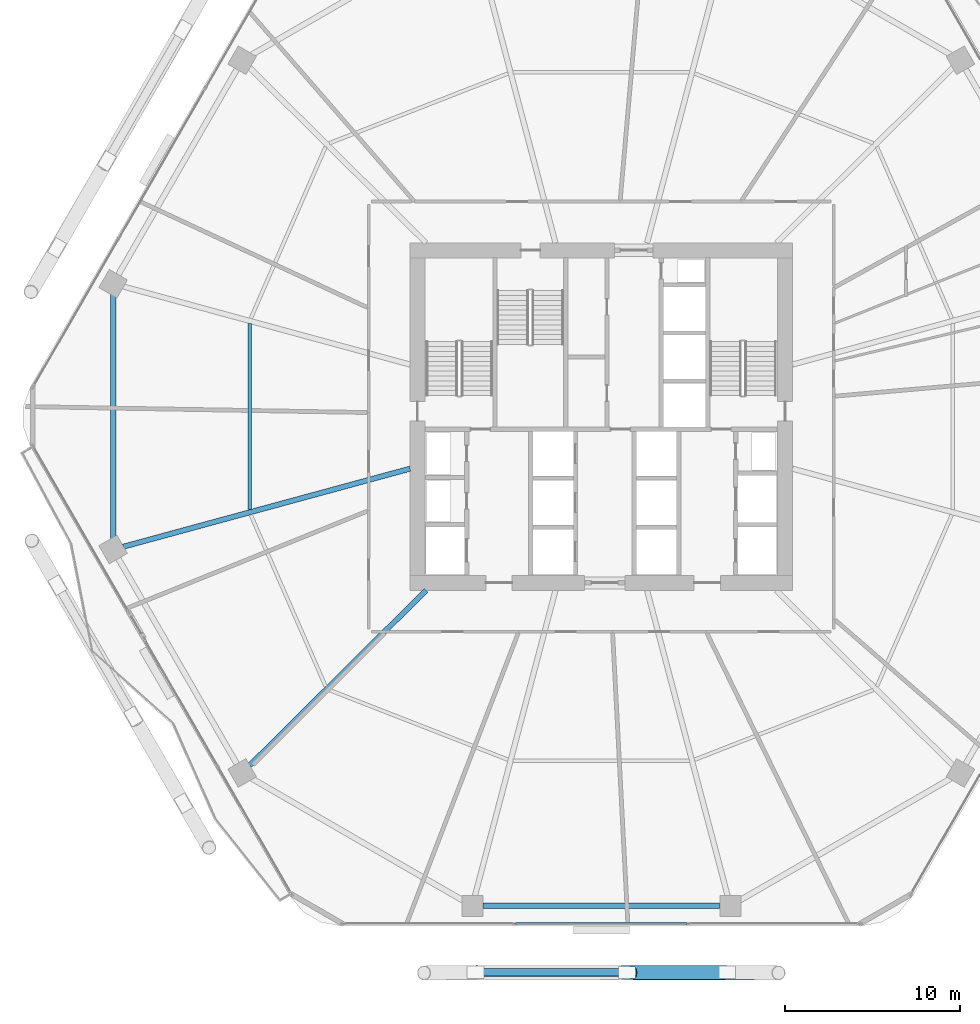
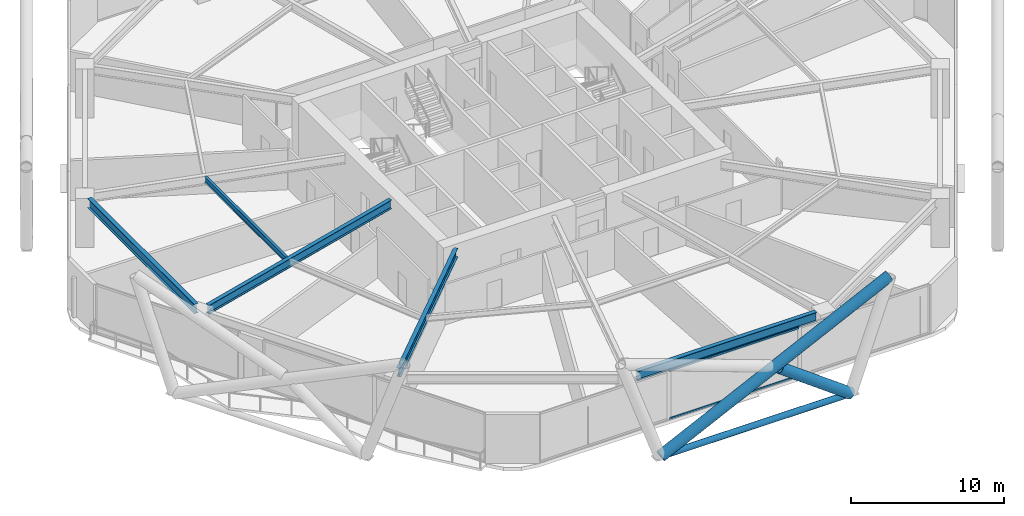
# One storey, part 6 of 30: 5 beams, 5 members, 1 element without a shape of its own.
"""IFC4 building model written with IfcOpenShell, lengths in metres."""

from ifc_helpers import new_model, si_unit, direction, frame, origin, origin_2d, place, context, subcontext, project, spatial, hollow_rectangle, hollow_circle, i_section, extrude, material, material_profile, profile_set, type_object, element, aggregate, save


model = new_model("IFC4")

# Units and contexts
model_context = context("Model", 3, precision=1e-05, world=origin(), true_north=direction((0.0, 1.0)))
body_context = subcontext(model_context, "Body", "Model", "MODEL_VIEW")
ifc_project = project(units=[si_unit("LENGTHUNIT", "METRE"), si_unit("AREAUNIT", "SQUARE_METRE"), si_unit("VOLUMEUNIT", "CUBIC_METRE"), si_unit("PLANEANGLEUNIT", "RADIAN"), si_unit("MASSUNIT", "GRAM", prefix="KILO")], contexts=[model_context])

# Site, building, storey
site_placement = place(None, origin())
site = spatial("IfcSite", under=ifc_project, at=site_placement, CompositionType="ELEMENT")
building_placement = place(site_placement, origin())
building = spatial("IfcBuilding", under=site, at=building_placement, Name="Zuhravey Tower", CompositionType="ELEMENT")
storey_placement = place(building_placement, frame((0.0, 0.0, 16.199951171875)))
storey = spatial("IfcBuildingStorey", under=building, at=storey_placement, Name="L04", CompositionType="ELEMENT", Elevation=16.199951171875)

# Curtain wall, members
ifc_material_1 = material(Name="Thermally broken anodised aluminium", Category="aluminium")
curtain_wall_type = type_object("IfcCurtainWallType", Name="School Low-E Unitised Curtain Wall CW1", PredefinedType="NOTDEFINED", material=ifc_material_1)
curtain_wall_placement = place(storey_placement, origin())
curtain_wall = element("IfcCurtainWall", 1, at=curtain_wall_placement, inside=storey, type_object=curtain_wall_type, Name="L04 CW1 CW-L04-F5-1", PredefinedType="NOTDEFINED")
ifc_material_2 = material(Name="Anodised aluminium", Category="aluminium")
ifc_material_profile_1 = material_profile(ifc_material_2, hollow_rectangle(XDim=0.090087890625, YDim=0.14990234375, WallThickness=0.0048828125, at=origin_2d()), Name="ALU-RHS-90x150x5")
ifc_profile_set_1 = profile_set([ifc_material_profile_1], Name="Anodised aluminium")
member_type_1 = type_object("IfcMemberType", Name="Curtain-Wall Transom 90x150", PredefinedType="USERDEFINED", material=ifc_profile_set_1)
member_1_placement = place(storey_placement, frame((40.88818359375, 3.04150390625, 0.045166015625), z_axis=(-1.0, 0.0, 0.0), x_axis=(0.0, -1.0, 0.0)))
member_1 = element("IfcMember", 2, at=member_1_placement, type_object=member_type_1, Name="CW1 transom 2.1", ObjectType="TRANSOM", PredefinedType="USERDEFINED", context=body_context, shape_type="SweptSolid", body=[
    extrude(hollow_rectangle(XDim=0.090087890625, YDim=0.14990234375, WallThickness=0.0048828125, at=origin_2d()), origin(), (0.0, 0.0, 1.0), 9.7763671875),
])
member_2_placement = place(storey_placement, frame((40.88818359375, 3.04150390625, 3.875), z_axis=(-1.0, 0.0, 0.0), x_axis=(0.0, -1.0, 0.0)))
member_2 = element("IfcMember", 3, at=member_2_placement, type_object=member_type_1, Name="CW1 transom 2.2", ObjectType="TRANSOM", PredefinedType="USERDEFINED", context=body_context, shape_type="SweptSolid", body=[
    extrude(hollow_rectangle(XDim=0.090087890625, YDim=0.14990234375, WallThickness=0.0048828125, at=origin_2d()), origin(), (0.0, 0.0, 1.0), 9.7763671875),
])
aggregate(curtain_wall, [member_1, member_2])

# Members
ifc_material_3 = material(Name="Steel SM355", Category="steel")
ifc_material_profile_2 = material_profile(ifc_material_3, hollow_circle(Radius=0.228515625, WallThickness=0.02197265625, at=origin_2d()), Name="CHS-457.2x22")
ifc_profile_set_2 = profile_set([ifc_material_profile_2], Name="Steel SM355")
member_type_2 = type_object("IfcMemberType", Name="Exoskeleton Ring Tie CHS457x22", PredefinedType="CHORD", material=ifc_profile_set_2)
member_3_placement = place(storey_placement, frame((28.946044921875, 0.25146484375, -0.493896484375), z_axis=(1.0, 0.0, 0.0), x_axis=(0.0, 1.0, 0.0)))
element("IfcMember", 4, at=member_3_placement, inside=storey, type_object=member_type_2, Name="L04 Exoskeleton Face 5 Tie EXR1", PredefinedType="CHORD", context=body_context, shape_type="SweptSolid", body=[
    extrude(hollow_circle(Radius=0.228515625, WallThickness=0.02197265625, at=origin_2d()), origin(), (0.0, 0.0, 1.0), 14.10791015625),
])
ifc_material_4 = material(Name="Steel SM460", Category="steel")
ifc_material_profile_3 = material_profile(ifc_material_4, hollow_circle(Radius=0.406494140625, WallThickness=0.035888671875, at=origin_2d()), Name="CHS-812.8x36")
ifc_profile_set_3 = profile_set([ifc_material_profile_3], Name="Steel SM460")
member_type_3 = type_object("IfcMemberType", Name="Exoskeleton Zone 1 Diagrid CHS813x36", PredefinedType="BRACE", material=ifc_profile_set_3)
member_4_placement = place(storey_placement, frame((28.8515625, 0.25146484375, -0.471923828125), z_axis=(0.899868496349, -0.00155470525, 0.436158540177), x_axis=(0.001727700143, 0.999998507525, 0.0)))
element("IfcMember", 5, at=member_4_placement, inside=storey, type_object=member_type_3, Name="L04 Face 5 Diagrid Brace 2", PredefinedType="BRACE", context=body_context, shape_type="SweptSolid", body=[
    extrude(hollow_circle(Radius=0.406494140625, WallThickness=0.035888671875, at=origin_2d()), origin(), (0.0, 0.0, 1.0), 19.157958984375),
])
member_5_placement = place(storey_placement, frame((43.1533203125, 0.25146484375, -0.464111328125), z_axis=(-0.80616154542, -0.002128915432, 0.591691668359), x_axis=(0.002640795782, -0.999996513093, 0.0)))
element("IfcMember", 6, at=member_5_placement, inside=storey, type_object=member_type_3, Name="L04 Face 5 Split Diagrid Brace 3A", PredefinedType="BRACE", context=body_context, shape_type="SweptSolid", body=[
    extrude(hollow_circle(Radius=0.406494140625, WallThickness=0.035888671875, at=origin_2d()), origin(), (0.0, 0.0, 1.0), 6.6513671875),
])

# Beams
ifc_material_profile_4 = material_profile(ifc_material_3, i_section(OverallWidth=0.320068359375, OverallDepth=0.75, WebThickness=0.013916015625, FlangeThickness=0.02490234375, at=origin_2d()), Name="H-750x320x14x25")
ifc_profile_set_4 = profile_set([ifc_material_profile_4], Name="Steel SM355")
beam_type_1 = type_object("IfcBeamType", Name="Perimeter Ring Beam H750x320", PredefinedType="BEAM", material=ifc_profile_set_4)
beam_1_placement = place(storey_placement, frame((8.11083984375, 38.988525390625, 3.545166015625), z_axis=(0.0, -1.0, 0.0), x_axis=(1.0, 0.0, 0.0)))
element("IfcBeam", 7, at=beam_1_placement, inside=storey, type_object=beam_type_1, Name="L04 PB1 BM-L04-PB-06", PredefinedType="BEAM", context=body_context, shape_type="SweptSolid", body=[
    extrude(i_section(OverallWidth=0.320068359375, OverallDepth=0.75, WebThickness=0.013916015625, FlangeThickness=0.02490234375, at=origin_2d()), origin(), (0.0, 0.0, 1.0), 13.97705078125),
])
beam_2_placement = place(storey_placement, frame((29.23291015625, 4.051513671875, 3.545166015625), z_axis=(1.0, 0.0, 0.0), x_axis=(0.0, 1.0, 0.0)))
element("IfcBeam", 8, at=beam_2_placement, inside=storey, type_object=beam_type_1, Name="L04 PB1 BM-L04-PB-09", PredefinedType="BEAM", context=body_context, shape_type="SweptSolid", body=[
    extrude(i_section(OverallWidth=0.320068359375, OverallDepth=0.75, WebThickness=0.013916015625, FlangeThickness=0.02490234375, at=origin_2d()), origin(), (0.0, 0.0, 1.0), 13.5341796875),
])
ifc_material_profile_5 = material_profile(ifc_material_3, i_section(OverallWidth=0.300048828125, OverallDepth=0.699951171875, WebThickness=0.012939453125, FlangeThickness=0.02392578125, at=origin_2d()), Name="H-700x300x13x24")
ifc_profile_set_5 = profile_set([ifc_material_profile_5], Name="Steel SM355")
beam_type_2 = type_object("IfcBeamType", Name="Radial Primary Girder H700x300", PredefinedType="BEAM", material=ifc_profile_set_5)
beam_3_placement = place(storey_placement, frame((25.072021484375, 29.025390625, 3.570068359375), z_axis=(-0.964892480455, -0.26264520015, 0.0), x_axis=(0.26264520015, -0.964892480455, 0.0)))
element("IfcBeam", 9, at=beam_3_placement, inside=storey, type_object=beam_type_2, Name="L04 RG1 BM-L04-RAD-07", PredefinedType="BEAM", context=body_context, shape_type="SweptSolid", body=[
    extrude(i_section(OverallWidth=0.300048828125, OverallDepth=0.699951171875, WebThickness=0.012939453125, FlangeThickness=0.02392578125, at=origin_2d()), origin(), (0.0, 0.0, 1.0), 16.975341796875),
])
beam_4_placement = place(storey_placement, frame((25.992919921875, 22.072021484375, 3.570068359375), z_axis=(-0.709902823282, -0.704299639, 0.0), x_axis=(0.704299639, -0.709902823282, 0.0)))
element("IfcBeam", 10, at=beam_4_placement, inside=storey, type_object=beam_type_2, Name="L04 RG1 BM-L04-RAD-08", PredefinedType="BEAM", context=body_context, shape_type="SweptSolid", body=[
    extrude(i_section(OverallWidth=0.300048828125, OverallDepth=0.699951171875, WebThickness=0.012939453125, FlangeThickness=0.02392578125, at=origin_2d()), origin(), (0.0, 0.0, 1.0), 14.204345703125),
])
ifc_material_profile_6 = material_profile(ifc_material_3, i_section(OverallWidth=0.199951171875, OverallDepth=0.449951171875, WebThickness=0.009033203125, FlangeThickness=0.013916015625, at=origin_2d()), Name="H-450x200x9x14")
ifc_profile_set_6 = profile_set([ifc_material_profile_6], Name="Steel SM355")
beam_type_3 = type_object("IfcBeamType", Name="Secondary Floor Joist H450x200", PredefinedType="JOIST", material=ifc_profile_set_6)
beam_5_placement = place(storey_placement, frame((15.9130859375, 37.313720703125, 3.695068359375), z_axis=(0.0, -1.0, 0.0), x_axis=(1.0, 0.0, 0.0)))
element("IfcBeam", 11, at=beam_5_placement, inside=storey, type_object=beam_type_3, Name="L04 SJ1 BM-L04-SJ-06-1", PredefinedType="JOIST", context=body_context, shape_type="SweptSolid", body=[
    extrude(i_section(OverallWidth=0.199951171875, OverallDepth=0.449951171875, WebThickness=0.009033203125, FlangeThickness=0.013916015625, at=origin_2d()), origin(), (0.0, 0.0, 1.0), 10.62744140625),
])

save(model, "model.ifc")
